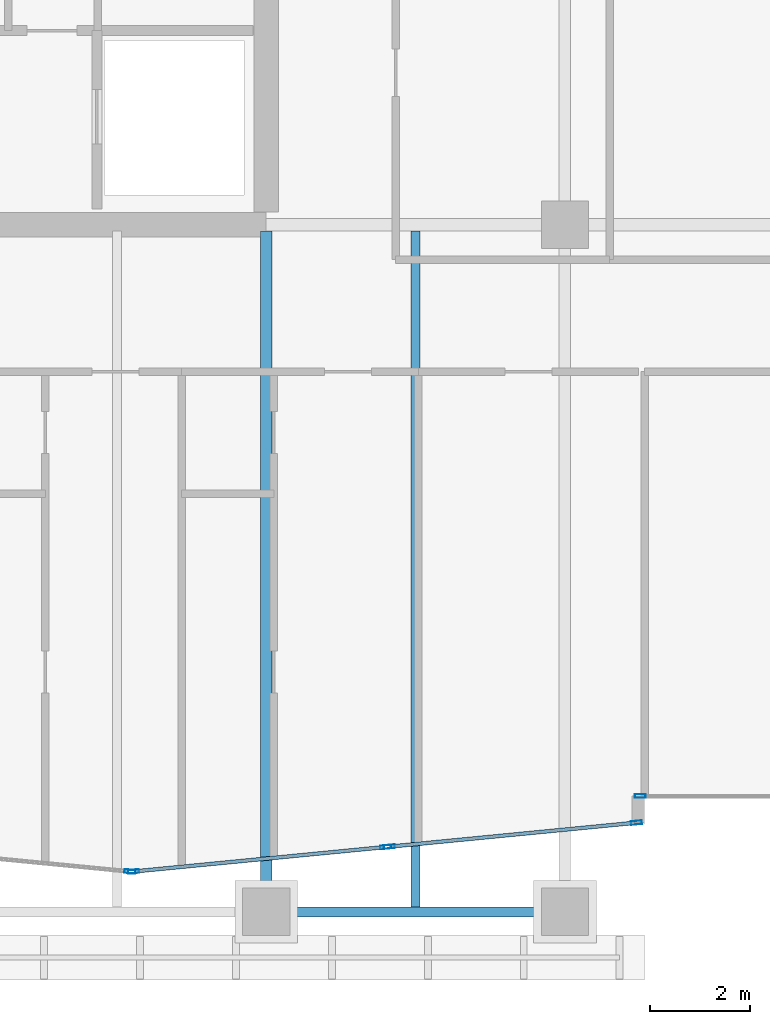
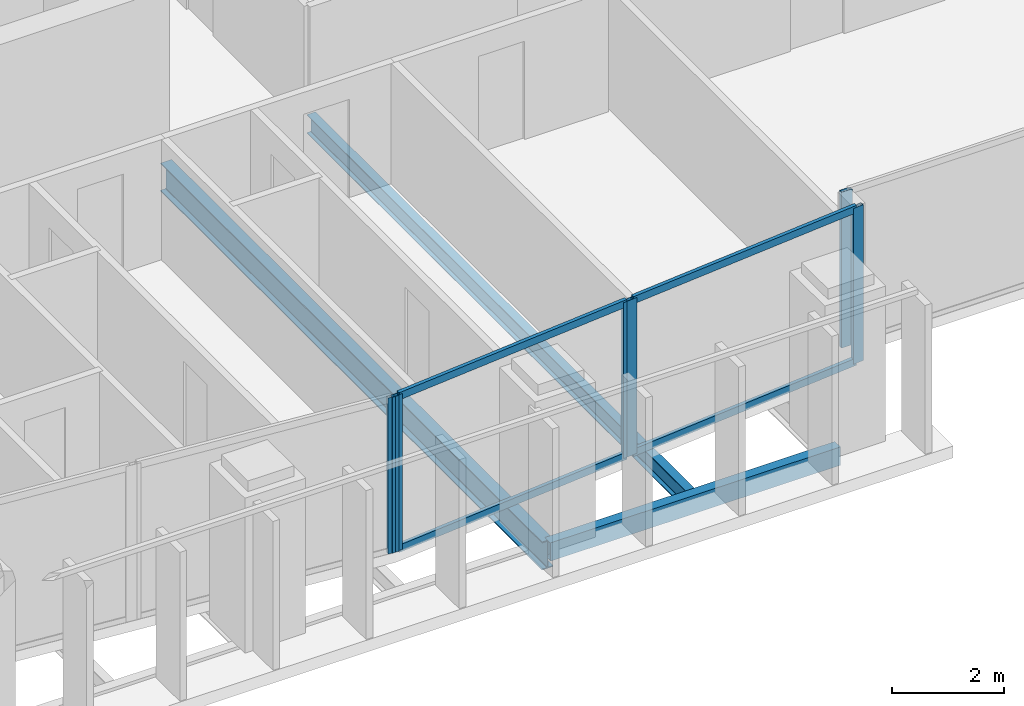
# One storey, part 5 of 39: 10 members, 3 beams, 4 elements without a shape of their own.
"""IFC4 building model written with IfcOpenShell, lengths in metres."""

from ifc_helpers import new_model, si_unit, direction, frame, origin, origin_2d, place, context, subcontext, project, spatial, hollow_rectangle, i_section, extrude, material, layer, layer_set, material_profile, profile_set, type_object, element, aggregate, save


model = new_model("IFC4")

# Units and contexts
model_context = context("Model", 3, precision=1e-05, world=origin(), true_north=direction((0.0, 1.0)))
body_context = subcontext(model_context, "Body", "Model", "MODEL_VIEW")
ifc_project = project(units=[si_unit("LENGTHUNIT", "METRE"), si_unit("AREAUNIT", "SQUARE_METRE"), si_unit("VOLUMEUNIT", "CUBIC_METRE"), si_unit("PLANEANGLEUNIT", "RADIAN"), si_unit("MASSUNIT", "GRAM", prefix="KILO")], contexts=[model_context])

# Site, building, storey
site_placement = place(None, origin())
site = spatial("IfcSite", under=ifc_project, at=site_placement, CompositionType="ELEMENT")
building_placement = place(site_placement, origin())
building = spatial("IfcBuilding", under=site, at=building_placement, Name="Tanjung Sevakor Pilgrim Tower", CompositionType="ELEMENT")
storey_placement = place(building_placement, frame((0.0, 0.0, 112.199951171875)))
storey = spatial("IfcBuildingStorey", under=building, at=storey_placement, Name="L31", CompositionType="ELEMENT", Elevation=112.199951171875)

# Beams
ifc_material_1 = material(Name="Steel S355J2", Category="steel")
ifc_material_profile_1 = material_profile(ifc_material_1, i_section(OverallWidth=0.230224609375, OverallDepth=0.6171875, WebThickness=0.01318359375, FlangeThickness=0.022216796875, FilletRadius=0.0126953125, at=origin_2d()))
ifc_profile_set_1 = profile_set([ifc_material_profile_1], Name="Steel S355J2")
beam_type_1 = type_object("IfcBeamType", Name="BM-B-G3-UB_610x229x140", PredefinedType="BEAM", material=ifc_profile_set_1)
beam_1_placement = place(storey_placement, frame((36.0, 10.800048828125, -0.528564453125), z_axis=(0.0, 1.0, 0.0), x_axis=(-1.0, 0.0, 0.0)))
element("IfcBeam", 1, at=beam_1_placement, inside=storey, type_object=beam_type_1, Name="L31 MAIN Girder 009", PredefinedType="BEAM", context=body_context, shape_type="SweptSolid", body=[
    extrude(i_section(OverallWidth=0.230224609375, OverallDepth=0.6171875, WebThickness=0.01318359375, FlangeThickness=0.022216796875, FilletRadius=0.0126953125, at=origin_2d()), origin(), (0.0, 0.0, 1.0), 13.672607421875),
])
ifc_material_2 = material(Name="Steel S355J2", Category="steel")
ifc_material_profile_2 = material_profile(ifc_material_2, i_section(OverallWidth=0.1787109375, OverallDepth=0.409423828125, WebThickness=0.0087890625, FlangeThickness=0.014404296875, FilletRadius=0.01025390625, at=origin_2d()))
ifc_profile_set_2 = profile_set([ifc_material_profile_2], Name="Steel S355J2")
beam_type_2 = type_object("IfcBeamType", Name="BM-B-J3-UB_406x178x67", PredefinedType="JOIST", material=ifc_profile_set_2)
beam_2_placement = place(storey_placement, frame((39.0, 10.89990234375, -0.424560546875), z_axis=(0.0, 1.0, 0.0), x_axis=(-1.0, 0.0, 0.0)))
element("IfcBeam", 2, at=beam_2_placement, inside=storey, type_object=beam_type_2, Name="L31 MAIN Joist 011", PredefinedType="JOIST", context=body_context, shape_type="SweptSolid", body=[
    extrude(i_section(OverallWidth=0.1787109375, OverallDepth=0.409423828125, WebThickness=0.0087890625, FlangeThickness=0.014404296875, FilletRadius=0.01025390625, at=origin_2d()), origin(), (0.0, 0.0, 1.0), 13.57275390625),
])
ifc_material_3 = material(Name="Steel S355J2", Category="steel")
ifc_material_profile_3 = material_profile(ifc_material_3, hollow_rectangle(XDim=0.199951171875, YDim=0.39990234375, WallThickness=0.01611328125, at=origin_2d()))
ifc_profile_set_3 = profile_set([ifc_material_profile_3], Name="Steel S355J2")
beam_type_3 = type_object("IfcBeamType", Name="BM-B-SP2-RHS_400x200x16", PredefinedType="SPANDREL", material=ifc_profile_set_3)
beam_3_placement = place(storey_placement, frame((36.0, 10.800048828125, -0.419921875), z_axis=(1.0, 0.0, 0.0), x_axis=(0.0, 1.0, 0.0)))
element("IfcBeam", 3, at=beam_3_placement, inside=storey, type_object=beam_type_3, Name="L31 Spandrel MAIN S-05", PredefinedType="SPANDREL", context=body_context, shape_type="SweptSolid", body=[
    extrude(hollow_rectangle(XDim=0.199951171875, YDim=0.39990234375, WallThickness=0.01611328125, at=origin_2d()), origin(), (0.0, 0.0, 1.0), 6.0),
])

# Curtain wall, member
ifc_material_4 = material(Name="Aluminium 6063-T6 and Low-E Glass", Category="aluminium")
ifc_layer_1 = layer(ifc_material_4, 0.199951171875)
ifc_layer_set_1 = layer_set([ifc_layer_1], Name="CW-SYS-PRAY")
curtain_wall_type_1 = type_object("IfcCurtainWallType", Name="CW-SYS-PRAY", PredefinedType="NOTDEFINED", material=ifc_layer_set_1)
curtain_wall_1_placement = place(storey_placement, origin())
curtain_wall_1 = element("IfcCurtainWall", 4, at=curtain_wall_1_placement, inside=storey, type_object=curtain_wall_type_1, Name="L31 Curtain Wall CW-PRY-L31-3", PredefinedType="NOTDEFINED")
ifc_material_5 = material(Name="Aluminium 6063-T6", Category="aluminium")
ifc_material_profile_4 = material_profile(ifc_material_5, hollow_rectangle(XDim=0.074951171875, YDim=0.219970703125, WallThickness=0.0048828125, at=origin_2d()))
ifc_profile_set_4 = profile_set([ifc_material_profile_4], Name="Aluminium 6063-T6")
member_type_1 = type_object("IfcMemberType", Name="TYPE-CWM-2", PredefinedType="MULLION", material=ifc_profile_set_4)
member_1_placement = place(storey_placement, frame((33.2626953125, 11.609130859375, 0.0), z_axis=(0.0, 0.0, 1.0), x_axis=(0.096628173007, 0.995320549462, 0.0)))
member_1 = element("IfcMember", 5, at=member_1_placement, type_object=member_type_1, Name="CW-PRY mullion 2", PredefinedType="MULLION", context=body_context, shape_type="SweptSolid", body=[
    extrude(hollow_rectangle(XDim=0.074951171875, YDim=0.219970703125, WallThickness=0.0048828125, at=origin_2d()), origin(), (0.0, 0.0, 1.0), 3.41015625),
])
aggregate(curtain_wall_1, [member_1])

# Curtain wall, members
curtain_wall_2_placement = place(storey_placement, origin())
curtain_wall_2 = element("IfcCurtainWall", 6, at=curtain_wall_2_placement, inside=storey, type_object=curtain_wall_type_1, Name="L31 Curtain Wall CW-PRY-L31-4", PredefinedType="NOTDEFINED")
member_2_placement = place(storey_placement, frame((33.33740234375, 11.609130859375, 0.0), z_axis=(0.0, 0.0, 1.0), x_axis=(-0.096628173007, 0.995320549462, 0.0)))
member_2 = element("IfcMember", 7, at=member_2_placement, type_object=member_type_1, Name="CW-PRY mullion 1", PredefinedType="MULLION", context=body_context, shape_type="SweptSolid", body=[
    extrude(hollow_rectangle(XDim=0.074951171875, YDim=0.219970703125, WallThickness=0.0048828125, at=origin_2d()), origin(), (0.0, 0.0, 1.0), 3.41015625),
])
member_3_placement = place(storey_placement, frame((38.400634765625, 12.100830078125, 0.0), z_axis=(0.0, 0.0, 1.0), x_axis=(-0.096628173007, 0.995320549462, 0.0)))
member_3 = element("IfcMember", 8, at=member_3_placement, type_object=member_type_1, Name="CW-PRY mullion 2", PredefinedType="MULLION", context=body_context, shape_type="SweptSolid", body=[
    extrude(hollow_rectangle(XDim=0.074951171875, YDim=0.219970703125, WallThickness=0.0048828125, at=origin_2d()), origin(), (0.0, 0.0, 1.0), 3.41015625),
])

curtain_wall_3_placement = place(storey_placement, origin())
curtain_wall_3 = element("IfcCurtainWall", 9, at=curtain_wall_3_placement, inside=storey, type_object=curtain_wall_type_1, Name="L31 Curtain Wall CW-PRY-L31-5", PredefinedType="NOTDEFINED")
member_4_placement = place(storey_placement, frame((38.475341796875, 12.10791015625, 0.0), z_axis=(0.0, 0.0, 1.0), x_axis=(-0.096644990598, 0.995318916625, 0.0)))
member_4 = element("IfcMember", 10, at=member_4_placement, type_object=member_type_1, Name="CW-PRY mullion 1", PredefinedType="MULLION", context=body_context, shape_type="SweptSolid", body=[
    extrude(hollow_rectangle(XDim=0.074951171875, YDim=0.219970703125, WallThickness=0.0048828125, at=origin_2d()), origin(), (0.0, 0.0, 1.0), 3.41015625),
])
member_5_placement = place(storey_placement, frame((43.437744140625, 12.58984375, 0.0), z_axis=(0.0, 0.0, 1.0), x_axis=(-0.096644990598, 0.995318916625, 0.0)))
member_5 = element("IfcMember", 11, at=member_5_placement, type_object=member_type_1, Name="CW-PRY mullion 2", PredefinedType="MULLION", context=body_context, shape_type="SweptSolid", body=[
    extrude(hollow_rectangle(XDim=0.074951171875, YDim=0.219970703125, WallThickness=0.0048828125, at=origin_2d()), origin(), (0.0, 0.0, 1.0), 3.41015625),
])

# Curtain wall, member
ifc_material_6 = material(Name="Aluminium 6063-T6 and Low-E Glass", Category="aluminium")
ifc_layer_2 = layer(ifc_material_6, 0.179931640625)
ifc_layer_set_2 = layer_set([ifc_layer_2], Name="CW-SYS-CLEFT")
curtain_wall_type_2 = type_object("IfcCurtainWallType", Name="CW-SYS-CLEFT", PredefinedType="NOTDEFINED", material=ifc_layer_set_2)
curtain_wall_4_placement = place(storey_placement, origin())
curtain_wall_4 = element("IfcCurtainWall", 12, at=curtain_wall_4_placement, inside=storey, type_object=curtain_wall_type_2, Name="L31 Curtain Wall CW-CLF-L31-7", PredefinedType="NOTDEFINED")
member_6_placement = place(storey_placement, frame((43.512451171875, 13.125, 0.0), z_axis=(0.0, 0.0, 1.0), x_axis=(0.0, 1.0, 0.0)))
member_6 = element("IfcMember", 13, at=member_6_placement, type_object=member_type_1, Name="CW-CLF mullion 1", PredefinedType="MULLION", context=body_context, shape_type="SweptSolid", body=[
    extrude(hollow_rectangle(XDim=0.074951171875, YDim=0.219970703125, WallThickness=0.0048828125, at=origin_2d()), origin(), (0.0, 0.0, 1.0), 3.41015625),
])
aggregate(curtain_wall_4, [member_6])

# Member
ifc_material_7 = material(Name="Aluminium 6063-T6", Category="aluminium")
ifc_material_profile_5 = material_profile(ifc_material_7, hollow_rectangle(XDim=0.074951171875, YDim=0.159912109375, WallThickness=0.00439453125, at=origin_2d()))
ifc_profile_set_5 = profile_set([ifc_material_profile_5], Name="Aluminium 6063-T6")
member_type_2 = type_object("IfcMemberType", Name="TYPE-CWT-2", PredefinedType="USERDEFINED", material=ifc_profile_set_5)
member_7_placement = place(storey_placement, frame((33.374755859375, 11.61279296875, 0.03759765625), z_axis=(0.995319078392, 0.096643324599, 0.0), x_axis=(-0.096643324599, 0.995319078392, 0.0)))
member_7 = element("IfcMember", 14, at=member_7_placement, type_object=member_type_2, Name="CW-PRY transom 1.1", ObjectType="TRANSOM", PredefinedType="USERDEFINED", context=body_context, shape_type="SweptSolid", body=[
    extrude(hollow_rectangle(XDim=0.074951171875, YDim=0.159912109375, WallThickness=0.00439453125, at=origin_2d()), origin(), (0.0, 0.0, 1.0), 5.011962890625),
])

member_8_placement = place(storey_placement, frame((33.374755859375, 11.61279296875, 3.37255859375), z_axis=(0.995319078392, 0.096643324599, 0.0), x_axis=(-0.096643324599, 0.995319078392, 0.0)))
member_8 = element("IfcMember", 15, at=member_8_placement, type_object=member_type_2, Name="CW-PRY transom 1.2", ObjectType="TRANSOM", PredefinedType="USERDEFINED", context=body_context, shape_type="SweptSolid", body=[
    extrude(hollow_rectangle(XDim=0.074951171875, YDim=0.159912109375, WallThickness=0.00439453125, at=origin_2d()), origin(), (0.0, 0.0, 1.0), 5.011962890625),
])

aggregate(curtain_wall_2, [member_2, member_3, member_7, member_8])

member_9_placement = place(storey_placement, frame((38.512451171875, 12.111572265625, 0.03759765625), z_axis=(0.995319057797, 0.096643536704, 0.0), x_axis=(-0.096643536704, 0.995319057797, 0.0)))
member_9 = element("IfcMember", 16, at=member_9_placement, type_object=member_type_2, Name="CW-PRY transom 1.1", ObjectType="TRANSOM", PredefinedType="USERDEFINED", context=body_context, shape_type="SweptSolid", body=[
    extrude(hollow_rectangle(XDim=0.074951171875, YDim=0.159912109375, WallThickness=0.00439453125, at=origin_2d()), origin(), (0.0, 0.0, 1.0), 4.910888671875),
])

member_10_placement = place(storey_placement, frame((38.512451171875, 12.111572265625, 3.37255859375), z_axis=(0.995319057797, 0.096643536704, 0.0), x_axis=(-0.096643536704, 0.995319057797, 0.0)))
member_10 = element("IfcMember", 17, at=member_10_placement, type_object=member_type_2, Name="CW-PRY transom 1.2", ObjectType="TRANSOM", PredefinedType="USERDEFINED", context=body_context, shape_type="SweptSolid", body=[
    extrude(hollow_rectangle(XDim=0.074951171875, YDim=0.159912109375, WallThickness=0.00439453125, at=origin_2d()), origin(), (0.0, 0.0, 1.0), 4.910888671875),
])

aggregate(curtain_wall_3, [member_4, member_5, member_9, member_10])

save(model, "model.ifc")
